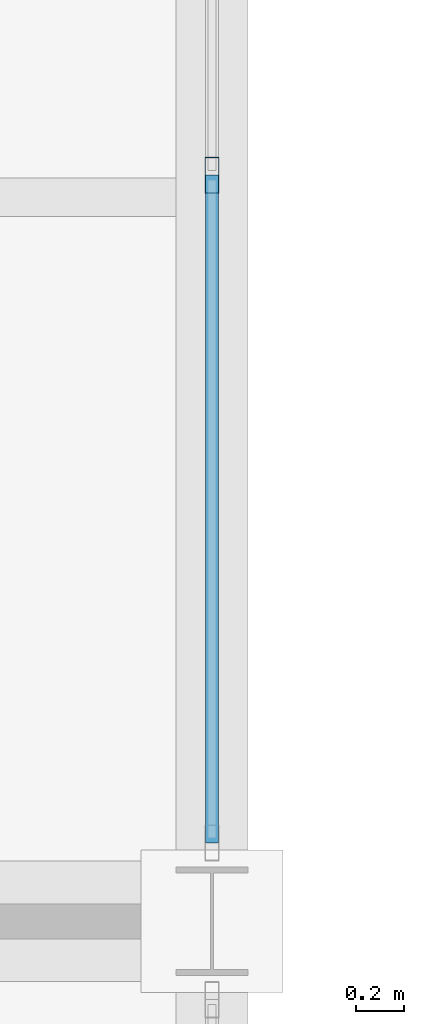
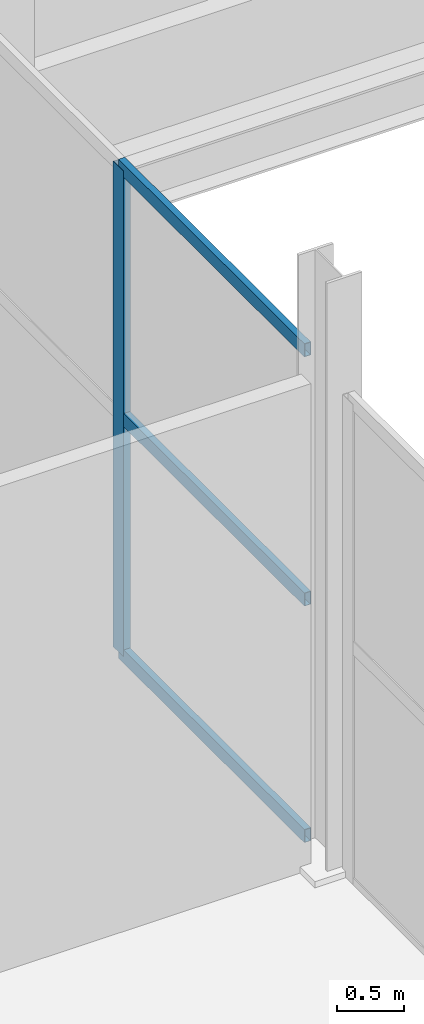
# One storey, part 96 of 147: 4 members, 1 element without a shape of its own.
"""IFC4 building model written with IfcOpenShell, lengths in metres."""

from ifc_helpers import new_model, si_unit, direction, frame, origin, origin_2d, place, context, subcontext, project, spatial, hollow_rectangle, extrude, material, layer, layer_set, material_profile, profile_set, type_object, element, aggregate, save


model = new_model("IFC4")

# Units and contexts
model_context = context("Model", 3, precision=1e-05, world=origin(), true_north=direction((0.0, 1.0)))
body_context = subcontext(model_context, "Body", "Model", "MODEL_VIEW")
ifc_project = project(units=[si_unit("LENGTHUNIT", "METRE"), si_unit("AREAUNIT", "SQUARE_METRE"), si_unit("VOLUMEUNIT", "CUBIC_METRE"), si_unit("PLANEANGLEUNIT", "RADIAN"), si_unit("MASSUNIT", "GRAM", prefix="KILO")], contexts=[model_context])

# Site, building, storey
site_placement = place(None, origin())
site = spatial("IfcSite", under=ifc_project, at=site_placement, CompositionType="ELEMENT")
building_placement = place(site_placement, origin())
building = spatial("IfcBuilding", under=site, at=building_placement, Name="Sundgate Opera House", CompositionType="ELEMENT")
storey_placement = place(building_placement, frame((0.0, 0.0, 6.0)))
storey = spatial("IfcBuildingStorey", under=building, at=storey_placement, Name="L01", CompositionType="ELEMENT", Elevation=6.0)

# Curtain wall, members
ifc_material_1 = material(Name="Anodized aluminium and low-iron glass", Category="aluminium")
ifc_layer = layer(ifc_material_1, 0.159912109375)
ifc_layer_set = layer_set([ifc_layer], Name="Anodized aluminium and low-iron glass")
curtain_wall_type = type_object("IfcCurtainWallType", Name="CW-STUDIO-DARK", PredefinedType="NOTDEFINED", material=ifc_layer_set)
curtain_wall_placement = place(storey_placement, origin())
curtain_wall = element("IfcCurtainWall", 1, at=curtain_wall_placement, inside=storey, type_object=curtain_wall_type, Name="L01 Curtain Wall CW051", PredefinedType="NOTDEFINED")
ifc_material_2 = material(Name="Anodized aluminium EN AW-6063", Category="aluminium")
ifc_material_profile_1 = material_profile(ifc_material_2, hollow_rectangle(XDim=0.06005859375, YDim=0.14990234375, WallThickness=0.00390625, at=origin_2d()), Name="CWM 150x60x4")
ifc_profile_set_1 = profile_set([ifc_material_profile_1], Name="Anodized aluminium EN AW-6063")
member_type_1 = type_object("IfcMemberType", Name="CWM-ALU-150x60", PredefinedType="MULLION", material=ifc_profile_set_1)
member_1_placement = place(storey_placement, frame((145.800048828125, 63.091552734375, 0.0), z_axis=(0.0, 0.0, 1.0), x_axis=(1.0, 0.0, 0.0)))
member_1 = element("IfcMember", 2, at=member_1_placement, type_object=member_type_1, Name="CW051 Mullion 2", PredefinedType="MULLION", context=body_context, shape_type="SweptSolid", body=[
    extrude(hollow_rectangle(XDim=0.06005859375, YDim=0.14990234375, WallThickness=0.00390625, at=origin_2d()), origin(), (0.0, 0.0, 1.0), 4.4150390625),
])
ifc_material_3 = material(Name="Anodized aluminium EN AW-6063", Category="aluminium")
ifc_material_profile_2 = material_profile(ifc_material_3, hollow_rectangle(XDim=0.054931640625, YDim=0.1201171875, WallThickness=0.00390625, at=origin_2d()), Name="CWT 120x55x4")
ifc_profile_set_2 = profile_set([ifc_material_profile_2], Name="Anodized aluminium EN AW-6063")
member_type_2 = type_object("IfcMemberType", Name="CWT-ALU-120x55", PredefinedType="USERDEFINED", material=ifc_profile_set_2)
member_2_placement = place(storey_placement, frame((145.800048828125, 60.324951171875, 0.0), z_axis=(0.0, 1.0, 0.0), x_axis=(-1.0, 0.0, 0.0)))
member_2 = element("IfcMember", 3, at=member_2_placement, type_object=member_type_2, Name="CW051 Transom 1", ObjectType="TRANSOM", PredefinedType="USERDEFINED", context=body_context, shape_type="SweptSolid", body=[
    extrude(hollow_rectangle(XDim=0.054931640625, YDim=0.1201171875, WallThickness=0.00390625, at=origin_2d()), origin(), (0.0, 0.0, 1.0), 2.7666015625),
])
member_3_placement = place(storey_placement, frame((145.800048828125, 60.324951171875, 2.14990234375), z_axis=(0.0, 1.0, 0.0), x_axis=(-1.0, 0.0, 0.0)))
member_3 = element("IfcMember", 4, at=member_3_placement, type_object=member_type_2, Name="CW051 Transom 2", ObjectType="TRANSOM", PredefinedType="USERDEFINED", context=body_context, shape_type="SweptSolid", body=[
    extrude(hollow_rectangle(XDim=0.054931640625, YDim=0.1201171875, WallThickness=0.00390625, at=origin_2d()), origin(), (0.0, 0.0, 1.0), 2.7666015625),
])
member_4_placement = place(storey_placement, frame((145.800048828125, 60.324951171875, 4.4150390625), z_axis=(0.0, 1.0, 0.0), x_axis=(-1.0, 0.0, 0.0)))
member_4 = element("IfcMember", 5, at=member_4_placement, type_object=member_type_2, Name="CW051 Transom 3", ObjectType="TRANSOM", PredefinedType="USERDEFINED", context=body_context, shape_type="SweptSolid", body=[
    extrude(hollow_rectangle(XDim=0.054931640625, YDim=0.1201171875, WallThickness=0.00390625, at=origin_2d()), origin(), (0.0, 0.0, 1.0), 2.7666015625),
])
aggregate(curtain_wall, [member_1, member_2, member_3, member_4])

save(model, "model.ifc")
